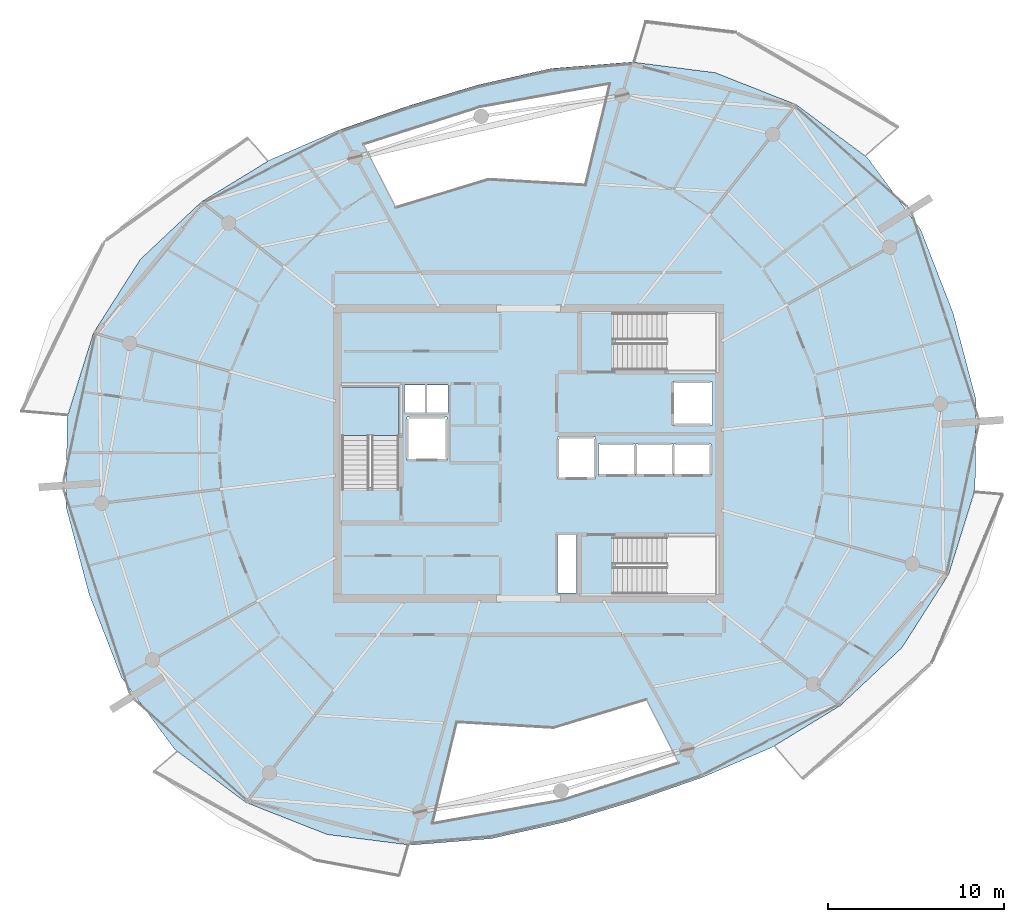
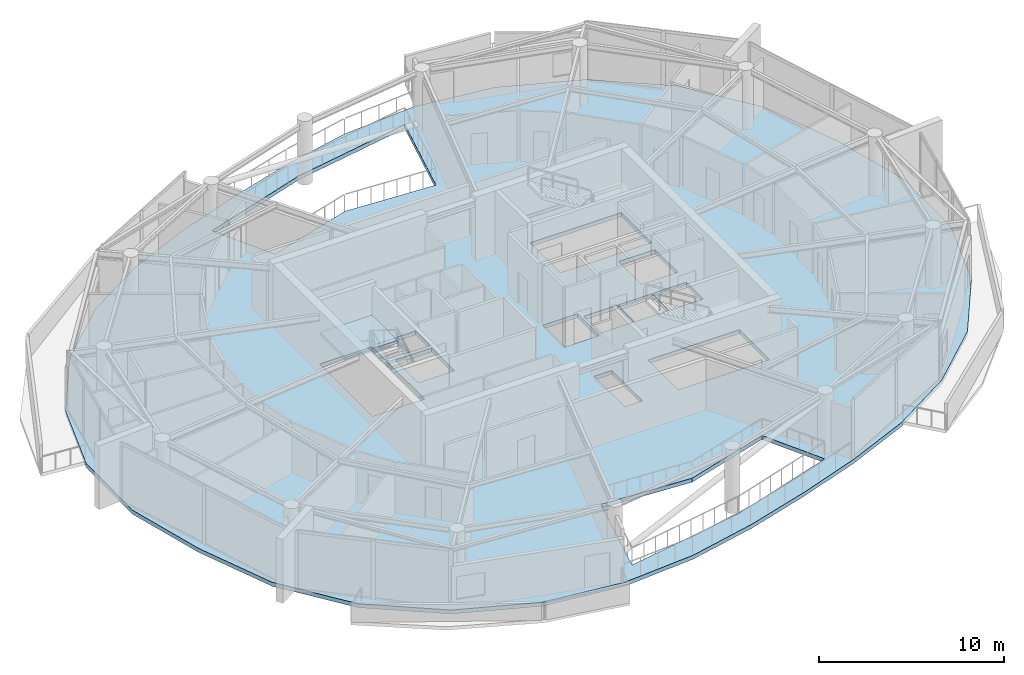
# One storey, part 10 of 22: 2 slabs, 1 element without a shape of its own.
"""IFC4 building model written with IfcOpenShell, lengths in metres."""

from ifc_helpers import new_model, si_unit, direction, frame, origin, place, context, subcontext, project, spatial, polyline, outline, extrude, material, layer, layer_set, type_object, element, aggregate, save


model = new_model("IFC4")

# Units and contexts
model_context = context("Model", 3, precision=1e-05, world=origin(), true_north=direction((0.0, 1.0)))
body_context = subcontext(model_context, "Body", "Model", "MODEL_VIEW")
ifc_project = project(units=[si_unit("LENGTHUNIT", "METRE"), si_unit("AREAUNIT", "SQUARE_METRE"), si_unit("VOLUMEUNIT", "CUBIC_METRE"), si_unit("PLANEANGLEUNIT", "RADIAN"), si_unit("MASSUNIT", "GRAM", prefix="KILO")], contexts=[model_context])

# Site, building, storey
site_placement = place(None, origin())
site = spatial("IfcSite", under=ifc_project, at=site_placement, CompositionType="ELEMENT")
building_placement = place(site_placement, origin())
building = spatial("IfcBuilding", under=site, at=building_placement, Name="Kazma Halo Residences", CompositionType="ELEMENT")
storey_placement = place(building_placement, frame((0.0, 0.0, 322.10009765625)))
storey = spatial("IfcBuildingStorey", under=building, at=storey_placement, Name="L81", CompositionType="ELEMENT", Elevation=322.10009765625)

# Slab
ifc_material = material(Name="Concrete C50/60", Category="concrete")
ifc_layer_1 = layer(ifc_material, 0.260009765625)
ifc_layer_set_1 = layer_set([ifc_layer_1], Name="Concrete C50/60")
slab_type_1 = type_object("IfcSlabType", Name="SLB-RES-260", PredefinedType="FLOOR", material=ifc_layer_set_1)
slab_1_placement = place(storey_placement, frame((0.0, 0.0, -0.260009765625)))
element("IfcSlab", 1, at=slab_1_placement, inside=storey, type_object=slab_type_1, Name="L81 structural floor slab", PredefinedType="FLOOR", context=body_context, shape_type="SweptSolid", body=[
    extrude(outline(polyline([(72.573486328125, 49.984375), (70.730224609375, 54.7294921875), (67.697265625, 58.822998046875), (63.6455078125, 61.84619140625), (59.037841796875, 63.6630859375), (54.280517578125, 64.269287109375), (49.723876953125, 63.90478515625), (45.51904296875, 62.9609375), (41.576416015625, 61.76953125), (37.6865234375, 60.416015625), (33.72998046875, 58.7080078125), (29.829345703125, 56.32470703125), (26.3369140625, 53.037841796875), (23.677001953125, 48.85986328125), (22.17626953125, 44.032470703125), (22.12841796875, 38.93798828125), (23.426513671875, 34.015625), (25.269775390625, 29.2705078125), (28.302734375, 25.177001953125), (32.3544921875, 22.15380859375), (36.962158203125, 20.3369140625), (41.719482421875, 19.730712890625), (46.276123046875, 20.09521484375), (50.48095703125, 21.0390625), (54.423583984375, 22.23046875), (58.3134765625, 23.583984375), (62.27001953125, 25.2919921875), (66.170654296875, 27.67529296875), (69.6630859375, 30.962158203125), (72.322998046875, 35.14013671875), (73.82373046875, 39.967529296875), (73.87158203125, 45.06201171875), (72.573486328125, 49.984375)]), holes=[polyline([(37.800048828125, 40.110107421875), (41.050048828125, 40.110107421875), (41.050048828125, 45.800048828125), (37.800048828125, 45.800048828125), (37.800048828125, 40.110107421875)]), polyline([(53.360107421875, 46.75), (59.050048828125, 46.75), (59.050048828125, 50.0), (53.360107421875, 50.0), (53.360107421875, 46.75)]), polyline([(53.360107421875, 34.0), (59.050048828125, 34.0), (59.050048828125, 37.25), (53.360107421875, 37.25), (53.360107421875, 34.0)]), polyline([(41.52001953125, 41.6201171875), (43.780029296875, 41.6201171875), (43.780029296875, 44.080078125), (41.52001953125, 44.080078125), (41.52001953125, 41.6201171875)]), polyline([(56.6201171875, 43.6201171875), (58.8798828125, 43.6201171875), (58.8798828125, 46.080078125), (56.6201171875, 46.080078125), (56.6201171875, 43.6201171875)]), polyline([(52.39501953125, 40.7451171875), (54.5048828125, 40.7451171875), (54.5048828125, 42.554931640625), (52.39501953125, 42.554931640625), (52.39501953125, 40.7451171875)]), polyline([(54.544921875, 40.7451171875), (56.655029296875, 40.7451171875), (56.655029296875, 42.554931640625), (54.544921875, 42.554931640625), (54.544921875, 40.7451171875)]), polyline([(56.695068359375, 40.7451171875), (58.804931640625, 40.7451171875), (58.804931640625, 42.554931640625), (56.695068359375, 42.554931640625), (56.695068359375, 40.7451171875)]), polyline([(50.070068359375, 40.570068359375), (52.22998046875, 40.570068359375), (52.22998046875, 42.929931640625), (50.070068359375, 42.929931640625), (50.070068359375, 40.570068359375)]), polyline([(41.360107421875, 44.340087890625), (42.5400390625, 44.340087890625), (42.5400390625, 45.89990234375), (41.360107421875, 45.89990234375), (41.360107421875, 44.340087890625)]), polyline([(42.659912109375, 44.340087890625), (43.840087890625, 44.340087890625), (43.840087890625, 45.89990234375), (42.659912109375, 45.89990234375), (42.659912109375, 44.340087890625)]), polyline([(50.06005859375, 34.080078125), (51.159912109375, 34.080078125), (51.159912109375, 37.3798828125), (50.06005859375, 37.3798828125), (50.06005859375, 34.080078125)]), polyline([(51.6650390625, 57.26611328125), (46.15478515625, 57.59130859375), (40.872314453125, 55.98876953125), (39.036376953125, 59.592041015625), (45.666015625, 61.7197265625), (53.052978515625, 63.047119140625), (51.6650390625, 57.26611328125)]), polyline([(44.3349609375, 26.73388671875), (49.84521484375, 26.40869140625), (55.127685546875, 28.01123046875), (56.963623046875, 24.407958984375), (50.333984375, 22.2802734375), (42.947021484375, 20.952880859375), (44.3349609375, 26.73388671875)])]), origin(), (0.0, 0.0, 1.0), 0.260009765625),
])

# Stair, slab
stair_type = type_object("IfcStairType", Name="STR-RES2", PredefinedType="HALF_TURN_STAIR", material=ifc_material)
stair_placement = place(storey_placement, origin())
stair = element("IfcStair", 2, at=stair_placement, inside=storey, type_object=stair_type, Name="L81 Core exit stair ST-01", PredefinedType="HALF_TURN_STAIR")
ifc_layer_2 = layer(ifc_material, 0.199951171875)
ifc_layer_set_2 = layer_set([ifc_layer_2], Name="Concrete C50/60")
slab_type_2 = type_object("IfcSlabType", Name="SLB-STAIR-LND-200", PredefinedType="LANDING", material=ifc_layer_set_2)
slab_2_placement = place(storey_placement, frame((0.0, 0.0, 1.89990234375)))
slab_2 = element("IfcSlab", 3, at=slab_2_placement, type_object=slab_type_2, Name="ST-01 landing 1", PredefinedType="LANDING", context=body_context, shape_type="SweptSolid", body=[
    extrude(outline(polyline([(41.050048828125, 43.030029296875), (41.050048828125, 45.800048828125), (37.800048828125, 45.800048828125), (37.800048828125, 43.030029296875), (41.050048828125, 43.030029296875)])), origin(), (0.0, 0.0, 1.0), 0.199951171875),
])
aggregate(stair, [slab_2])

save(model, "model.ifc")
